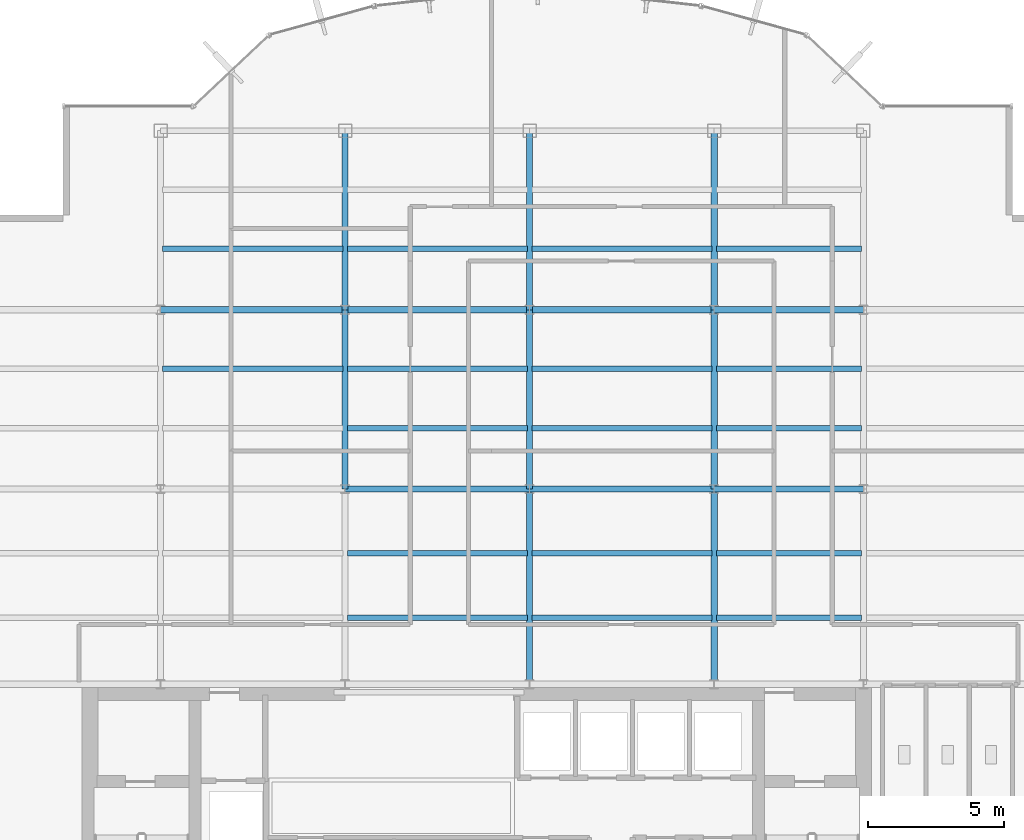
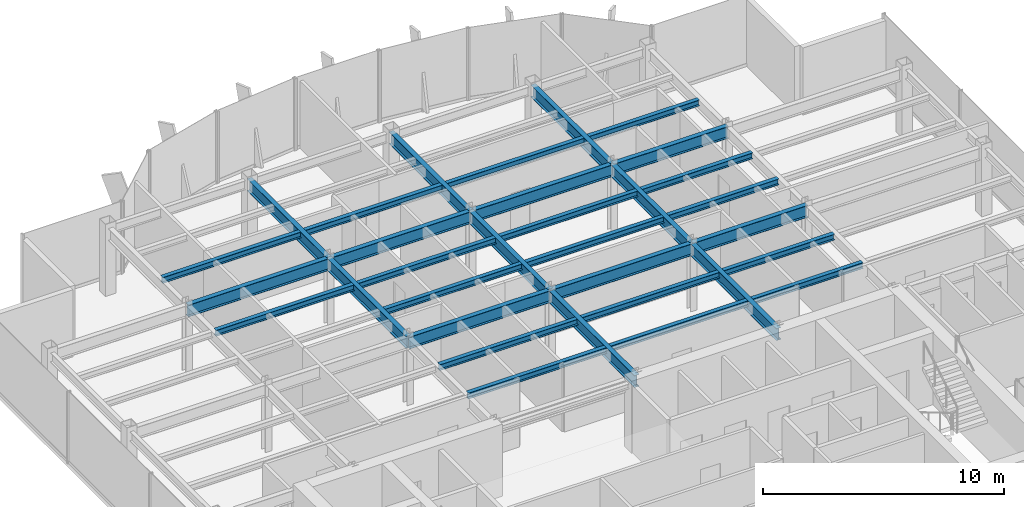
# One storey, part 8 of 22: 32 beams.
"""IFC4 building model written with IfcOpenShell, lengths in metres."""

from ifc_helpers import new_model, si_unit, derived_unit, direction, frame, origin, origin_2d, place, context, subcontext, project, spatial, i_section, extrude, source, transform, mapped, material, material_profile, profile_set, type_object, element, save


model = new_model("IFC4")

# Units and contexts
model_context = context("Model", 3, precision=1e-05, world=origin(), true_north=direction((0.0, 1.0)))
body_context = subcontext(model_context, "Body", "Model", "MODEL_VIEW")
ifc_project = project(units=[si_unit("LENGTHUNIT", "METRE"), si_unit("AREAUNIT", "SQUARE_METRE"), si_unit("VOLUMEUNIT", "CUBIC_METRE"), si_unit("PLANEANGLEUNIT", "RADIAN"), si_unit("MASSUNIT", "GRAM", prefix="KILO"), derived_unit("THERMALTRANSMITTANCEUNIT", [(si_unit("POWERUNIT", "WATT"), 1), (si_unit("LENGTHUNIT", "METRE"), -2), (si_unit("THERMODYNAMICTEMPERATUREUNIT", "KELVIN"), -1)])], contexts=[model_context])

# Site, building, storey
site_placement = place(None, origin())
site = spatial("IfcSite", under=ifc_project, at=site_placement, CompositionType="ELEMENT")
building_placement = place(site_placement, origin())
building = spatial("IfcBuilding", under=site, at=building_placement, Name="Skarnbrae Concourse Arena and Tower", CompositionType="ELEMENT")
storey_placement = place(building_placement, frame((0.0, 0.0, 247.85009765625)))
storey = spatial("IfcBuildingStorey", under=building, at=storey_placement, Name="L64", CompositionType="ELEMENT", Elevation=247.85009765625)

# Beams
ifc_material = material(Name="Steel CSA G40.21 350W", Category="steel")
ifc_material_profile_1 = material_profile(ifc_material, i_section(OverallWidth=0.22802734375, OverallDepth=0.60791015625, WebThickness=0.01123046875, FlangeThickness=0.017333984375, at=origin_2d()), Name="W610X113")
ifc_profile_set_1 = profile_set([ifc_material_profile_1], Name="Steel CSA G40.21 350W")
beam_type_1 = type_object("IfcBeamType", Name="BM-GIRD-W610X113", PredefinedType="BEAM", material=ifc_profile_set_1)
shared_shape_1 = source(origin(), body_context, "Body", "SweptSolid", [
    extrude(i_section(OverallWidth=0.22802734375, OverallDepth=0.60791015625, WebThickness=0.01123046875, FlangeThickness=0.017333984375, at=origin_2d()), origin(), (0.0, 0.0, 1.0), 6.60009765625),
])
for number, where, z_axis, x_axis, name in (
    (1, (14.39990234375, 21.199951171875, 3.095947265625), (0.0, 1.0, 0.0), (-1.0, 0.0, 0.0), "L64 Primary N-S girder X14.4-2"),
    (2, (21.199951171875, 21.199951171875, 3.095947265625), (0.0, 1.0, 0.0), (-1.0, 0.0, 0.0), "L64 Primary N-S girder X21.2-2"),
    (3, (28.0, 21.199951171875, 3.095947265625), (0.0, 1.0, 0.0), (-1.0, 0.0, 0.0), "L64 Primary N-S girder X28.0-2"),
):
    element("IfcBeam", number, at=place(storey_placement, frame(where, z_axis=z_axis, x_axis=x_axis)), inside=storey, type_object=beam_type_1, Name=name, PredefinedType="BEAM", context=body_context, shape_type="MappedRepresentation", body=[
        mapped(shared_shape_1, transform((0.0, 0.0, 0.0))),
    ])
shared_shape_2 = source(origin(), body_context, "Body", "SweptSolid", [
    extrude(i_section(OverallWidth=0.22802734375, OverallDepth=0.60791015625, WebThickness=0.01123046875, FlangeThickness=0.017333984375, at=origin_2d()), origin(), (0.0, 0.0, 1.0), 6.7998046875),
])
beam_placement = place(storey_placement, frame((7.60009765625, 27.800048828125, 3.095947265625), z_axis=(1.0, 0.0, 0.0), x_axis=(0.0, 1.0, 0.0)))
element("IfcBeam", 4, at=beam_placement, inside=storey, type_object=beam_type_1, Name="L64 Primary E-W girder Y27.8-2", PredefinedType="BEAM", context=body_context, shape_type="MappedRepresentation", body=[
    mapped(shared_shape_2, transform((0.0, 0.0, 0.0))),
])
shared_shape_3 = source(origin(), body_context, "Body", "SweptSolid", [
    extrude(i_section(OverallWidth=0.22802734375, OverallDepth=0.60791015625, WebThickness=0.01123046875, FlangeThickness=0.017333984375, at=origin_2d()), origin(), (0.0, 0.0, 1.0), 6.800048828125),
])
for number, where, z_axis, x_axis, name in (
    (5, (14.39990234375, 21.199951171875, 3.095947265625), (1.0, 0.0, 0.0), (0.0, 1.0, 0.0), "L64 Primary E-W girder Y21.2-3"),
    (6, (21.199951171875, 21.199951171875, 3.095947265625), (1.0, 0.0, 0.0), (0.0, 1.0, 0.0), "L64 Primary E-W girder Y21.2-4"),
    (7, (14.39990234375, 27.800048828125, 3.095947265625), (1.0, 0.0, 0.0), (0.0, 1.0, 0.0), "L64 Primary E-W girder Y27.8-3"),
    (8, (21.199951171875, 27.800048828125, 3.095947265625), (1.0, 0.0, 0.0), (0.0, 1.0, 0.0), "L64 Primary E-W girder Y27.8-4"),
):
    element("IfcBeam", number, at=place(storey_placement, frame(where, z_axis=z_axis, x_axis=x_axis)), inside=storey, type_object=beam_type_1, Name=name, PredefinedType="BEAM", context=body_context, shape_type="MappedRepresentation", body=[
        mapped(shared_shape_3, transform((0.0, 0.0, 0.0))),
    ])
shared_shape_4 = source(origin(), body_context, "Body", "SweptSolid", [
    extrude(i_section(OverallWidth=0.22802734375, OverallDepth=0.60791015625, WebThickness=0.01123046875, FlangeThickness=0.017333984375, at=origin_2d()), origin(), (0.0, 0.0, 1.0), 5.5),
])
for number, where, z_axis, x_axis, name in (
    (9, (28.0, 21.199951171875, 3.095947265625), (1.0, 0.0, 0.0), (0.0, 1.0, 0.0), "L64 Primary E-W girder Y21.2-5"),
    (10, (28.0, 27.800048828125, 3.095947265625), (1.0, 0.0, 0.0), (0.0, 1.0, 0.0), "L64 Primary E-W girder Y27.8-5"),
):
    element("IfcBeam", number, at=place(storey_placement, frame(where, z_axis=z_axis, x_axis=x_axis)), inside=storey, type_object=beam_type_1, Name=name, PredefinedType="BEAM", context=body_context, shape_type="MappedRepresentation", body=[
        mapped(shared_shape_4, transform((0.0, 0.0, 0.0))),
    ])
shared_shape_5 = source(origin(), body_context, "Body", "SweptSolid", [
    extrude(i_section(OverallWidth=0.22802734375, OverallDepth=0.60791015625, WebThickness=0.01123046875, FlangeThickness=0.017333984375, at=origin_2d()), origin(), (0.0, 0.0, 1.0), 7.199951171875),
])
for number, where, z_axis, x_axis, name in (
    (11, (21.199951171875, 14.0, 3.095947265625), (0.0, 1.0, 0.0), (-1.0, 0.0, 0.0), "L64 Primary N-S girder X21.2-1"),
    (12, (28.0, 14.0, 3.095947265625), (0.0, 1.0, 0.0), (-1.0, 0.0, 0.0), "L64 Primary N-S girder X28.0-1"),
):
    element("IfcBeam", number, at=place(storey_placement, frame(where, z_axis=z_axis, x_axis=x_axis)), inside=storey, type_object=beam_type_1, Name=name, PredefinedType="BEAM", context=body_context, shape_type="MappedRepresentation", body=[
        mapped(shared_shape_5, transform((0.0, 0.0, 0.0))),
    ])
shared_shape_6 = source(origin(), body_context, "Body", "SweptSolid", [
    extrude(i_section(OverallWidth=0.22802734375, OverallDepth=0.60791015625, WebThickness=0.01123046875, FlangeThickness=0.017333984375, at=origin_2d()), origin(), (0.0, 0.0, 1.0), 6.599853515625),
])
for number, where, z_axis, x_axis, name in (
    (13, (14.39990234375, 27.800048828125, 3.095947265625), (0.0, 1.0, 0.0), (-1.0, 0.0, 0.0), "L64 Primary N-S girder X14.4-3"),
    (14, (21.199951171875, 27.800048828125, 3.095947265625), (0.0, 1.0, 0.0), (-1.0, 0.0, 0.0), "L64 Primary N-S girder X21.2-3"),
    (15, (28.0, 27.800048828125, 3.095947265625), (0.0, 1.0, 0.0), (-1.0, 0.0, 0.0), "L64 Primary N-S girder X28.0-3"),
):
    element("IfcBeam", number, at=place(storey_placement, frame(where, z_axis=z_axis, x_axis=x_axis)), inside=storey, type_object=beam_type_1, Name=name, PredefinedType="BEAM", context=body_context, shape_type="MappedRepresentation", body=[
        mapped(shared_shape_6, transform((0.0, 0.0, 0.0))),
    ])
ifc_material_profile_2 = material_profile(ifc_material, i_section(OverallWidth=0.202880859375, OverallDepth=0.302978515625, WebThickness=0.007568359375, FlangeThickness=0.01318359375, at=origin_2d()), Name="W310X60")
ifc_profile_set_2 = profile_set([ifc_material_profile_2], Name="Steel CSA G40.21 350W")
beam_type_2 = type_object("IfcBeamType", Name="BM-JOIST-W310X60", PredefinedType="JOIST", material=ifc_profile_set_2)
shared_shape_7 = source(origin(), body_context, "Body", "SweptSolid", [
    extrude(i_section(OverallWidth=0.202880859375, OverallDepth=0.302978515625, WebThickness=0.007568359375, FlangeThickness=0.01318359375, at=origin_2d()), origin(), (0.0, 0.0, 1.0), 6.64013671875),
])
for number, where, z_axis, x_axis, name in (
    (16, (14.47998046875, 16.447998046875, 3.248291015625), (1.0, 0.0, 0.0), (0.0, 1.0, 0.0), "L64 Secondary floor joist 1.1.3"),
    (17, (14.47998046875, 18.823974609375, 3.248291015625), (1.0, 0.0, 0.0), (0.0, 1.0, 0.0), "L64 Secondary floor joist 1.2.3"),
    (18, (14.47998046875, 23.444091796875, 3.248291015625), (1.0, 0.0, 0.0), (0.0, 1.0, 0.0), "L64 Secondary floor joist 2.1.3"),
    (19, (7.679931640625, 25.6220703125, 3.248291015625), (1.0, 0.0, 0.0), (0.0, 1.0, 0.0), "L64 Secondary floor joist 2.2.2"),
    (20, (14.47998046875, 25.6220703125, 3.248291015625), (1.0, 0.0, 0.0), (0.0, 1.0, 0.0), "L64 Secondary floor joist 2.2.3"),
    (21, (7.679931640625, 30.0439453125, 3.248291015625), (1.0, 0.0, 0.0), (0.0, 1.0, 0.0), "L64 Secondary floor joist 3.1.1"),
    (22, (14.47998046875, 30.0439453125, 3.248291015625), (1.0, 0.0, 0.0), (0.0, 1.0, 0.0), "L64 Secondary floor joist 3.1.2"),
):
    element("IfcBeam", number, at=place(storey_placement, frame(where, z_axis=z_axis, x_axis=x_axis)), inside=storey, type_object=beam_type_2, Name=name, PredefinedType="JOIST", context=body_context, shape_type="MappedRepresentation", body=[
        mapped(shared_shape_7, transform((0.0, 0.0, 0.0))),
    ])
shared_shape_8 = source(origin(), body_context, "Body", "SweptSolid", [
    extrude(i_section(OverallWidth=0.202880859375, OverallDepth=0.302978515625, WebThickness=0.007568359375, FlangeThickness=0.01318359375, at=origin_2d()), origin(), (0.0, 0.0, 1.0), 6.639892578125),
])
for number, where, z_axis, x_axis, name in (
    (23, (21.280029296875, 16.447998046875, 3.248291015625), (1.0, 0.0, 0.0), (0.0, 1.0, 0.0), "L64 Secondary floor joist 1.1.4"),
    (24, (21.280029296875, 18.823974609375, 3.248291015625), (1.0, 0.0, 0.0), (0.0, 1.0, 0.0), "L64 Secondary floor joist 1.2.4"),
    (25, (21.280029296875, 23.444091796875, 3.248291015625), (1.0, 0.0, 0.0), (0.0, 1.0, 0.0), "L64 Secondary floor joist 2.1.4"),
    (26, (21.280029296875, 25.6220703125, 3.248291015625), (1.0, 0.0, 0.0), (0.0, 1.0, 0.0), "L64 Secondary floor joist 2.2.4"),
    (27, (21.280029296875, 30.0439453125, 3.248291015625), (1.0, 0.0, 0.0), (0.0, 1.0, 0.0), "L64 Secondary floor joist 3.1.3"),
):
    element("IfcBeam", number, at=place(storey_placement, frame(where, z_axis=z_axis, x_axis=x_axis)), inside=storey, type_object=beam_type_2, Name=name, PredefinedType="JOIST", context=body_context, shape_type="MappedRepresentation", body=[
        mapped(shared_shape_8, transform((0.0, 0.0, 0.0))),
    ])
shared_shape_9 = source(origin(), body_context, "Body", "SweptSolid", [
    extrude(i_section(OverallWidth=0.202880859375, OverallDepth=0.302978515625, WebThickness=0.007568359375, FlangeThickness=0.01318359375, at=origin_2d()), origin(), (0.0, 0.0, 1.0), 5.33984375),
])
for number, where, z_axis, x_axis, name in (
    (28, (28.080078125, 16.447998046875, 3.248291015625), (1.0, 0.0, 0.0), (0.0, 1.0, 0.0), "L64 Secondary floor joist 1.1.5"),
    (29, (28.080078125, 18.823974609375, 3.248291015625), (1.0, 0.0, 0.0), (0.0, 1.0, 0.0), "L64 Secondary floor joist 1.2.5"),
    (30, (28.080078125, 23.444091796875, 3.248291015625), (1.0, 0.0, 0.0), (0.0, 1.0, 0.0), "L64 Secondary floor joist 2.1.5"),
    (31, (28.080078125, 25.6220703125, 3.248291015625), (1.0, 0.0, 0.0), (0.0, 1.0, 0.0), "L64 Secondary floor joist 2.2.5"),
    (32, (28.080078125, 30.0439453125, 3.248291015625), (1.0, 0.0, 0.0), (0.0, 1.0, 0.0), "L64 Secondary floor joist 3.1.4"),
):
    element("IfcBeam", number, at=place(storey_placement, frame(where, z_axis=z_axis, x_axis=x_axis)), inside=storey, type_object=beam_type_2, Name=name, PredefinedType="JOIST", context=body_context, shape_type="MappedRepresentation", body=[
        mapped(shared_shape_9, transform((0.0, 0.0, 0.0))),
    ])

save(model, "model.ifc")
